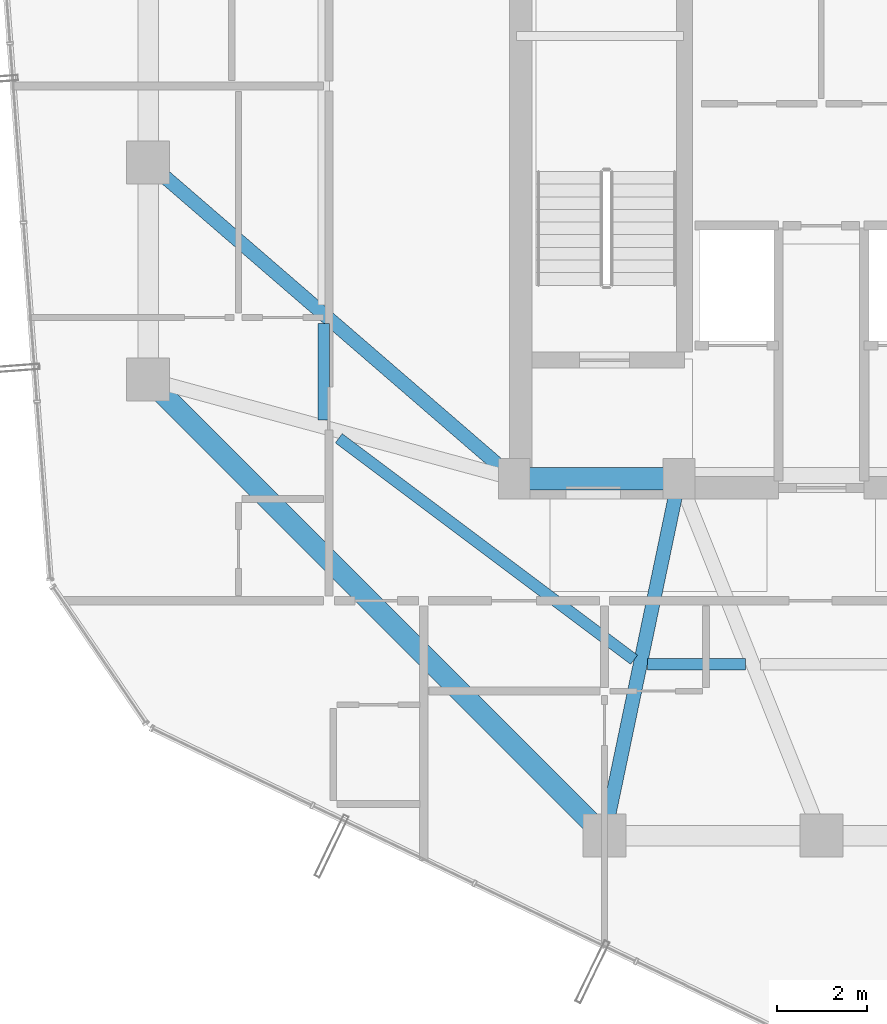
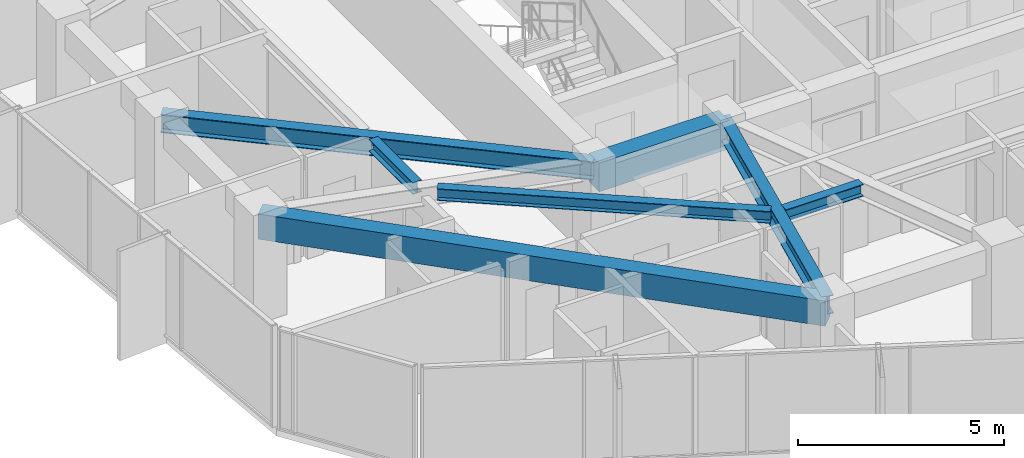
# One storey, part 6 of 34: 7 beams.
"""IFC4 building model written with IfcOpenShell, lengths in metres."""

from ifc_helpers import new_model, si_unit, direction, frame, origin, origin_2d, place, context, subcontext, project, spatial, rectangle, i_section, extrude, material, material_profile, profile_set, type_object, element, save


model = new_model("IFC4")

# Units and contexts
model_context = context("Model", 3, precision=1e-05, world=origin(), true_north=direction((0.0, 1.0)))
body_context = subcontext(model_context, "Body", "Model", "MODEL_VIEW")
ifc_project = project(units=[si_unit("LENGTHUNIT", "METRE"), si_unit("AREAUNIT", "SQUARE_METRE"), si_unit("VOLUMEUNIT", "CUBIC_METRE"), si_unit("PLANEANGLEUNIT", "RADIAN"), si_unit("MASSUNIT", "GRAM", prefix="KILO")], contexts=[model_context])

# Site, building, storey
site_placement = place(None, origin())
site = spatial("IfcSite", under=ifc_project, at=site_placement, CompositionType="ELEMENT")
building_placement = place(site_placement, origin())
building = spatial("IfcBuilding", under=site, at=building_placement, Name="Veraguas Prism Commons", CompositionType="ELEMENT")
storey_placement = place(building_placement, frame((0.0, 0.0, 191.85009765625)))
storey = spatial("IfcBuildingStorey", under=building, at=storey_placement, Name="L54", CompositionType="ELEMENT", Elevation=191.85009765625)

# Beams
ifc_material_1 = material(Name="Concrete C50/60", Category="concrete")
ifc_material_profile_1 = material_profile(ifc_material_1, rectangle(XDim=0.5, YDim=0.85009765625, at=origin_2d()), Name="RC500X850")
ifc_profile_set_1 = profile_set([ifc_material_profile_1], Name="Concrete C50/60")
beam_type_1 = type_object("IfcBeamType", Name="Core Coupling Beam RC 500x850", PredefinedType="BEAM", material=ifc_profile_set_1)
beam_1_placement = place(storey_placement, frame((17.199951171875, 17.0, 2.58984375), z_axis=(1.0, 0.0, 0.0), x_axis=(0.0, 1.0, 0.0)))
element("IfcBeam", 1, at=beam_1_placement, inside=storey, type_object=beam_type_1, Name="Core Coupling Beam L54-CRS1", PredefinedType="BEAM", context=body_context, shape_type="SweptSolid", body=[
    extrude(rectangle(XDim=0.5, YDim=0.85009765625, at=origin_2d()), origin(), (0.0, 0.0, 1.0), 3.650146484375),
])
ifc_material_profile_2 = material_profile(ifc_material_1, rectangle(XDim=0.449951171875, YDim=0.75, at=origin_2d()), Name="RC450X750")
ifc_profile_set_2 = profile_set([ifc_material_profile_2], Name="Concrete C50/60")
beam_type_2 = type_object("IfcBeamType", Name="Perimeter Spandrel Upper RC 450x750", PredefinedType="SPANDREL", material=ifc_profile_set_2)
beam_2_placement = place(storey_placement, frame((9.10009765625, 19.199951171875, 2.639892578125), z_axis=(0.707106781187, -0.707106781187, 0.0), x_axis=(0.707106781187, 0.707106781187, 0.0)))
element("IfcBeam", 2, at=beam_2_placement, inside=storey, type_object=beam_type_2, Name="Perimeter Spandrel Beam L54-SP09", PredefinedType="SPANDREL", context=body_context, shape_type="SweptSolid", body=[
    extrude(rectangle(XDim=0.449951171875, YDim=0.75, at=origin_2d()), origin(), (0.0, 0.0, 1.0), 14.283447265625),
])
ifc_material_2 = material(Name="Steel ASTM A992 Grade 50", Category="steel")
ifc_material_profile_3 = material_profile(ifc_material_2, i_section(OverallWidth=0.25390625, OverallDepth=0.35302734375, WebThickness=0.009521484375, FlangeThickness=0.016357421875, at=origin_2d()), Name="W360X91")
ifc_profile_set_3 = profile_set([ifc_material_profile_3], Name="Steel ASTM A992 Grade 50")
beam_type_3 = type_object("IfcBeamType", Name="Upper Floor Joist W360x91", PredefinedType="JOIST", material=ifc_profile_set_3)
beam_3_placement = place(storey_placement, frame((12.988037109375, 20.43701171875, 2.83837890625), z_axis=(0.0, -1.0, 0.0), x_axis=(1.0, 0.0, 0.0)))
element("IfcBeam", 3, at=beam_3_placement, inside=storey, type_object=beam_type_3, Name="Composite Floor Joist L54-JS08", PredefinedType="JOIST", context=body_context, shape_type="SweptSolid", body=[
    extrude(i_section(OverallWidth=0.25390625, OverallDepth=0.35302734375, WebThickness=0.009521484375, FlangeThickness=0.016357421875, at=origin_2d()), origin(), (0.0, 0.0, 1.0), 2.134033203125),
])
beam_4_placement = place(storey_placement, frame((13.320556640625, 17.89453125, 2.83837890625), z_axis=(0.800060962004, -0.599918708724, 0.0), x_axis=(0.599918708724, 0.800060962004, 0.0)))
element("IfcBeam", 4, at=beam_4_placement, inside=storey, type_object=beam_type_3, Name="Composite Floor Joist L54-JS09", PredefinedType="JOIST", context=body_context, shape_type="SweptSolid", body=[
    extrude(i_section(OverallWidth=0.25390625, OverallDepth=0.35302734375, WebThickness=0.009521484375, FlangeThickness=0.016357421875, at=origin_2d()), origin(), (0.0, 0.0, 1.0), 8.169189453125),
])
beam_5_placement = place(storey_placement, frame((20.148681640625, 12.89208984375, 2.83837890625), z_axis=(1.0, 0.0, 0.0), x_axis=(0.0, 1.0, 0.0)))
element("IfcBeam", 5, at=beam_5_placement, inside=storey, type_object=beam_type_3, Name="Composite Floor Joist L54-JS10", PredefinedType="JOIST", context=body_context, shape_type="SweptSolid", body=[
    extrude(i_section(OverallWidth=0.25390625, OverallDepth=0.35302734375, WebThickness=0.009521484375, FlangeThickness=0.016357421875, at=origin_2d()), origin(), (0.0, 0.0, 1.0), 2.174072265625),
])
ifc_material_profile_4 = material_profile(ifc_material_2, i_section(OverallWidth=0.31103515625, OverallDepth=0.5458984375, WebThickness=0.0146484375, FlangeThickness=0.023681640625, at=origin_2d()), Name="W530X165")
ifc_profile_set_4 = profile_set([ifc_material_profile_4], Name="Steel ASTM A992 Grade 50")
beam_type_4 = type_object("IfcBeamType", Name="Zone 3 Radial Girder W530x165", PredefinedType="BEAM", material=ifc_profile_set_4)
beam_6_placement = place(storey_placement, frame((9.10009765625, 24.0, 2.741943359375), z_axis=(0.756607086554, -0.653869800936, 0.0), x_axis=(0.653869800936, 0.756607086554, 0.0)))
element("IfcBeam", 6, at=beam_6_placement, inside=storey, type_object=beam_type_4, Name="Radial Floor Girder L54-RD08", PredefinedType="BEAM", context=body_context, shape_type="SweptSolid", body=[
    extrude(i_section(OverallWidth=0.31103515625, OverallDepth=0.5458984375, WebThickness=0.0146484375, FlangeThickness=0.023681640625, at=origin_2d()), origin(), (0.0, 0.0, 1.0), 10.70556640625),
])
beam_7_placement = place(storey_placement, frame((19.199951171875, 9.10009765625, 2.741943359375), z_axis=(0.204468851168, 0.978873070884, 0.0), x_axis=(-0.978873070884, 0.204468851168, 0.0)))
element("IfcBeam", 7, at=beam_7_placement, inside=storey, type_object=beam_type_4, Name="Radial Floor Girder L54-RD10", PredefinedType="BEAM", context=body_context, shape_type="SweptSolid", body=[
    extrude(i_section(OverallWidth=0.31103515625, OverallDepth=0.5458984375, WebThickness=0.0146484375, FlangeThickness=0.023681640625, at=origin_2d()), origin(), (0.0, 0.0, 1.0), 8.0703125),
])

save(model, "model.ifc")
